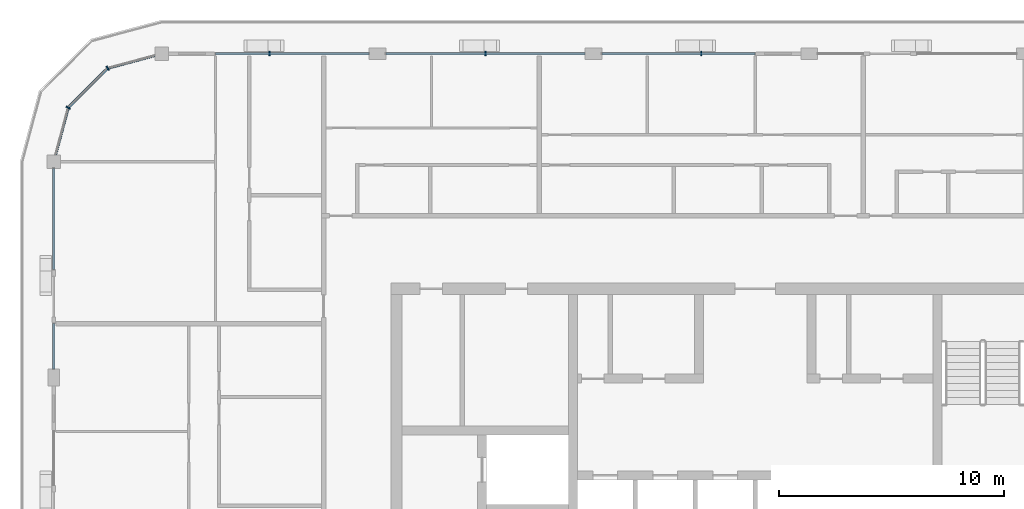
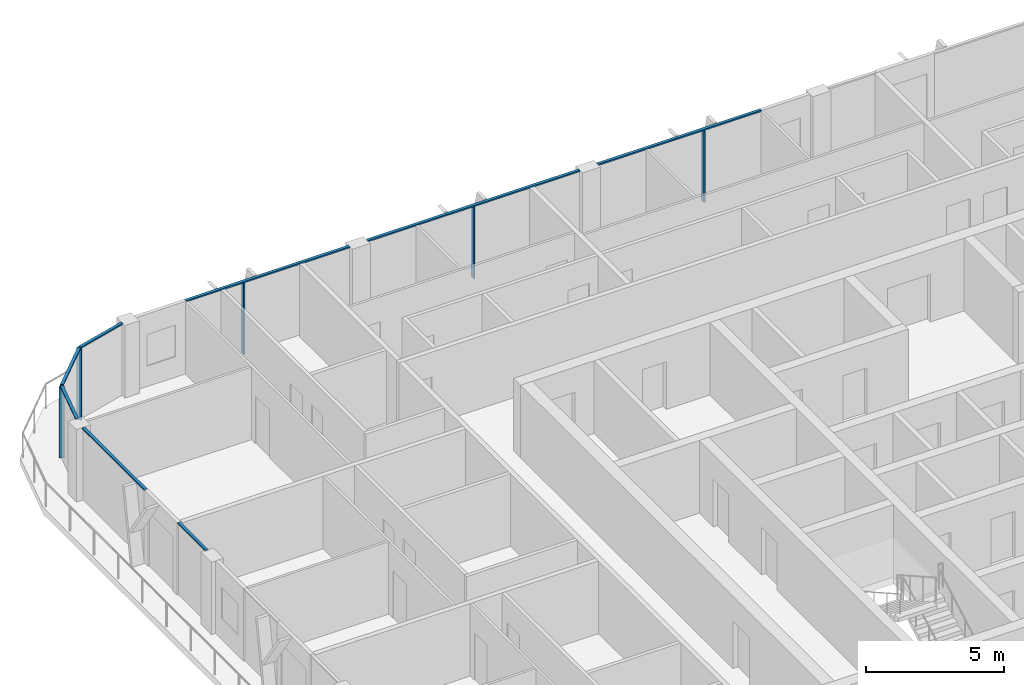
# One storey, part 5 of 21: 13 members, 5 elements without a shape of their own.
"""IFC4 building model written with IfcOpenShell, lengths in metres."""

from ifc_helpers import new_model, si_unit, direction, frame, origin, origin_2d, place, context, subcontext, project, spatial, rectangle, extrude, material, layer, layer_set, material_profile, profile_set, type_object, element, aggregate, save


model = new_model("IFC4")

# Units and contexts
model_context = context("Model", 3, precision=1e-05, world=origin(), true_north=direction((0.0, 1.0)))
body_context = subcontext(model_context, "Body", "Model", "MODEL_VIEW")
ifc_project = project(units=[si_unit("LENGTHUNIT", "METRE"), si_unit("AREAUNIT", "SQUARE_METRE"), si_unit("VOLUMEUNIT", "CUBIC_METRE"), si_unit("PLANEANGLEUNIT", "RADIAN"), si_unit("MASSUNIT", "GRAM", prefix="KILO")], contexts=[model_context])

# Site, building, storey
site_placement = place(None, origin())
site = spatial("IfcSite", under=ifc_project, at=site_placement, CompositionType="ELEMENT")
building_placement = place(site_placement, origin())
building = spatial("IfcBuilding", under=site, at=building_placement, Name="Madar Terraces", CompositionType="ELEMENT")
storey_placement = place(building_placement, frame((0.0, 0.0, 268.60009765625)))
storey = spatial("IfcBuildingStorey", under=building, at=storey_placement, Name="L70", CompositionType="ELEMENT", Elevation=268.60009765625)

# Curtain wall, member
ifc_material_1 = material(Name="Glass, ceramic frit dark grey, with black aluminium frame", Category="aluminium")
ifc_layer = layer(ifc_material_1, 0.199951171875)
ifc_layer_set = layer_set([ifc_layer], Name="Facade curtain wall, fritted glass")
curtain_wall_type = type_object("IfcCurtainWallType", Name="Facade curtain wall, fritted glass", PredefinedType="NOTDEFINED", material=ifc_layer_set)
curtain_wall_1_placement = place(storey_placement, origin())
curtain_wall_1 = element("IfcCurtainWall", 1, at=curtain_wall_1_placement, inside=storey, type_object=curtain_wall_type, Name="Outer skin curtain wall north bay 3", PredefinedType="NOTDEFINED")
ifc_material_2 = material(Name="Aluminium, black anodised", Category="aluminium")
ifc_material_profile_1 = material_profile(ifc_material_2, rectangle(XDim=0.199951171875, YDim=0.06005859375, at=origin_2d()), Name="Facade mullion 60x200")
ifc_profile_set_1 = profile_set([ifc_material_profile_1], Name="Aluminium, black anodised")
member_type_1 = type_object("IfcMemberType", Name="Facade mullion 60x200", PredefinedType="MULLION", material=ifc_profile_set_1)
member_1_placement = place(storey_placement, frame((28.800048828125, 48.0, 0.0), z_axis=(0.0, 0.0, 1.0), x_axis=(0.0, -1.0, 0.0)))
member_1 = element("IfcMember", 2, at=member_1_placement, type_object=member_type_1, Name="Mullion 1", PredefinedType="MULLION", context=body_context, shape_type="SweptSolid", body=[
    extrude(rectangle(XDim=0.199951171875, YDim=0.06005859375, at=origin_2d()), origin(), (0.0, 0.0, 1.0), 3.139892578125),
])

curtain_wall_2_placement = place(storey_placement, origin())
curtain_wall_2 = element("IfcCurtainWall", 3, at=curtain_wall_2_placement, inside=storey, type_object=curtain_wall_type, Name="Outer skin curtain wall north bay 4", PredefinedType="NOTDEFINED")
member_2_placement = place(storey_placement, frame((19.199951171875, 48.0, 0.0), z_axis=(0.0, 0.0, 1.0), x_axis=(0.0, -1.0, 0.0)))
member_2 = element("IfcMember", 4, at=member_2_placement, type_object=member_type_1, Name="Mullion 1", PredefinedType="MULLION", context=body_context, shape_type="SweptSolid", body=[
    extrude(rectangle(XDim=0.199951171875, YDim=0.06005859375, at=origin_2d()), origin(), (0.0, 0.0, 1.0), 3.139892578125),
])

curtain_wall_3_placement = place(storey_placement, origin())
curtain_wall_3 = element("IfcCurtainWall", 5, at=curtain_wall_3_placement, inside=storey, type_object=curtain_wall_type, Name="Outer skin curtain wall north bay 5", PredefinedType="NOTDEFINED")
member_3_placement = place(storey_placement, frame((9.60009765625, 48.0, 0.0), z_axis=(0.0, 0.0, 1.0), x_axis=(0.0, -1.0, 0.0)))
member_3 = element("IfcMember", 6, at=member_3_placement, type_object=member_type_1, Name="Mullion 1", PredefinedType="MULLION", context=body_context, shape_type="SweptSolid", body=[
    extrude(rectangle(XDim=0.199951171875, YDim=0.06005859375, at=origin_2d()), origin(), (0.0, 0.0, 1.0), 3.139892578125),
])

# Curtain wall, members
curtain_wall_4_placement = place(storey_placement, origin())
curtain_wall_4 = element("IfcCurtainWall", 7, at=curtain_wall_4_placement, inside=storey, type_object=curtain_wall_type, Name="Outer skin curtain wall north-west corner", PredefinedType="NOTDEFINED")
member_4_placement = place(storey_placement, frame((2.39990234375, 47.35693359375, 0.0), z_axis=(0.0, 0.0, 1.0), x_axis=(0.499999989586, -0.866025409797, 0.0)))
member_4 = element("IfcMember", 8, at=member_4_placement, type_object=member_type_1, Name="Mullion 1", PredefinedType="MULLION", context=body_context, shape_type="SweptSolid", body=[
    extrude(rectangle(XDim=0.199951171875, YDim=0.06005859375, at=origin_2d()), origin(), (0.0, 0.0, 1.0), 3.139892578125),
])
member_5_placement = place(storey_placement, frame((0.64306640625, 45.60009765625, 0.0), z_axis=(0.0, 0.0, 1.0), x_axis=(0.866025409797, -0.499999989586, 0.0)))
member_5 = element("IfcMember", 9, at=member_5_placement, type_object=member_type_1, Name="Mullion 2", PredefinedType="MULLION", context=body_context, shape_type="SweptSolid", body=[
    extrude(rectangle(XDim=0.199951171875, YDim=0.06005859375, at=origin_2d()), origin(), (0.0, 0.0, 1.0), 3.139892578125),
])

# Member
ifc_material_3 = material(Name="Aluminium, black anodised", Category="aluminium")
ifc_material_profile_2 = material_profile(ifc_material_3, rectangle(XDim=0.1201171875, YDim=0.06005859375, at=origin_2d()), Name="Facade transom 60x120")
ifc_profile_set_2 = profile_set([ifc_material_profile_2], Name="Aluminium, black anodised")
member_type_2 = type_object("IfcMemberType", Name="Facade transom 60x120", PredefinedType="USERDEFINED", material=ifc_profile_set_2)
member_6_placement = place(storey_placement, frame((31.199951171875, 48.0, 3.169921875), z_axis=(-1.0, 0.0, 0.0), x_axis=(0.0, -1.0, 0.0)))
member_6 = element("IfcMember", 10, at=member_6_placement, type_object=member_type_2, Name="Transom 1", ObjectType="TRANSOM", PredefinedType="USERDEFINED", context=body_context, shape_type="SweptSolid", body=[
    extrude(rectangle(XDim=0.1201171875, YDim=0.06005859375, at=origin_2d()), origin(), (0.0, 0.0, 1.0), 6.824951171875),
])

aggregate(curtain_wall_1, [member_1, member_6])

member_7_placement = place(storey_placement, frame((23.625, 48.0, 3.169921875), z_axis=(-1.0, 0.0, 0.0), x_axis=(0.0, -1.0, 0.0)))
member_7 = element("IfcMember", 11, at=member_7_placement, type_object=member_type_2, Name="Transom 1", ObjectType="TRANSOM", PredefinedType="USERDEFINED", context=body_context, shape_type="SweptSolid", body=[
    extrude(rectangle(XDim=0.1201171875, YDim=0.06005859375, at=origin_2d()), origin(), (0.0, 0.0, 1.0), 8.85009765625),
])

aggregate(curtain_wall_2, [member_2, member_7])

member_8_placement = place(storey_placement, frame((14.02490234375, 48.0, 3.169921875), z_axis=(-1.0, 0.0, 0.0), x_axis=(0.0, -1.0, 0.0)))
member_8 = element("IfcMember", 12, at=member_8_placement, type_object=member_type_2, Name="Transom 1", ObjectType="TRANSOM", PredefinedType="USERDEFINED", context=body_context, shape_type="SweptSolid", body=[
    extrude(rectangle(XDim=0.1201171875, YDim=0.06005859375, at=origin_2d()), origin(), (0.0, 0.0, 1.0), 6.824951171875),
])

aggregate(curtain_wall_3, [member_3, member_8])

# Curtain wall, members
curtain_wall_5_placement = place(storey_placement, origin())
curtain_wall_5 = element("IfcCurtainWall", 13, at=curtain_wall_5_placement, inside=storey, type_object=curtain_wall_type, Name="Outer skin curtain wall west bay 1", PredefinedType="NOTDEFINED")
member_9_placement = place(storey_placement, frame((0.0, 42.89990234375, 3.169921875), z_axis=(0.0, -1.0, 0.0), x_axis=(1.0, 0.0, 0.0)))
member_9 = element("IfcMember", 14, at=member_9_placement, type_object=member_type_2, Name="Transom 1", ObjectType="TRANSOM", PredefinedType="USERDEFINED", context=body_context, shape_type="SweptSolid", body=[
    extrude(rectangle(XDim=0.1201171875, YDim=0.06005859375, at=origin_2d()), origin(), (0.0, 0.0, 1.0), 4.5),
])
member_10_placement = place(storey_placement, frame((0.0, 36.0, 3.169921875), z_axis=(0.0, -1.0, 0.0), x_axis=(1.0, 0.0, 0.0)))
member_10 = element("IfcMember", 15, at=member_10_placement, type_object=member_type_2, Name="Transom 2", ObjectType="TRANSOM", PredefinedType="USERDEFINED", context=body_context, shape_type="SweptSolid", body=[
    extrude(rectangle(XDim=0.1201171875, YDim=0.06005859375, at=origin_2d()), origin(), (0.0, 0.0, 1.0), 2.02490234375),
])
aggregate(curtain_wall_5, [member_9, member_10])

# Member
member_11_placement = place(storey_placement, frame((4.5, 47.919677734375, 3.169921875), z_axis=(-0.965926196336, -0.258817664066, 0.0), x_axis=(0.258817664066, -0.965926196336, 0.0)))
member_11 = element("IfcMember", 16, at=member_11_placement, type_object=member_type_2, Name="Transom 1", ObjectType="TRANSOM", PredefinedType="USERDEFINED", context=body_context, shape_type="SweptSolid", body=[
    extrude(rectangle(XDim=0.1201171875, YDim=0.06005859375, at=origin_2d()), origin(), (0.0, 0.0, 1.0), 2.14404296875),
])

member_12_placement = place(storey_placement, frame((2.37890625, 47.335693359375, 3.169921875), z_axis=(-0.707106781187, -0.707106781187, 0.0), x_axis=(0.707106781187, -0.707106781187, 0.0)))
member_12 = element("IfcMember", 17, at=member_12_placement, type_object=member_type_2, Name="Transom 2", ObjectType="TRANSOM", PredefinedType="USERDEFINED", context=body_context, shape_type="SweptSolid", body=[
    extrude(rectangle(XDim=0.1201171875, YDim=0.06005859375, at=origin_2d()), origin(), (0.0, 0.0, 1.0), 2.4248046875),
])

member_13_placement = place(storey_placement, frame((0.63525390625, 45.571044921875, 3.169921875), z_axis=(-0.258817664066, -0.965926196336, 0.0), x_axis=(0.965926196336, -0.258817664066, 0.0)))
member_13 = element("IfcMember", 18, at=member_13_placement, type_object=member_type_2, Name="Transom 3", ObjectType="TRANSOM", PredefinedType="USERDEFINED", context=body_context, shape_type="SweptSolid", body=[
    extrude(rectangle(XDim=0.1201171875, YDim=0.06005859375, at=origin_2d()), origin(), (0.0, 0.0, 1.0), 2.14404296875),
])

aggregate(curtain_wall_4, [member_4, member_11, member_5, member_12, member_13])

save(model, "model.ifc")
